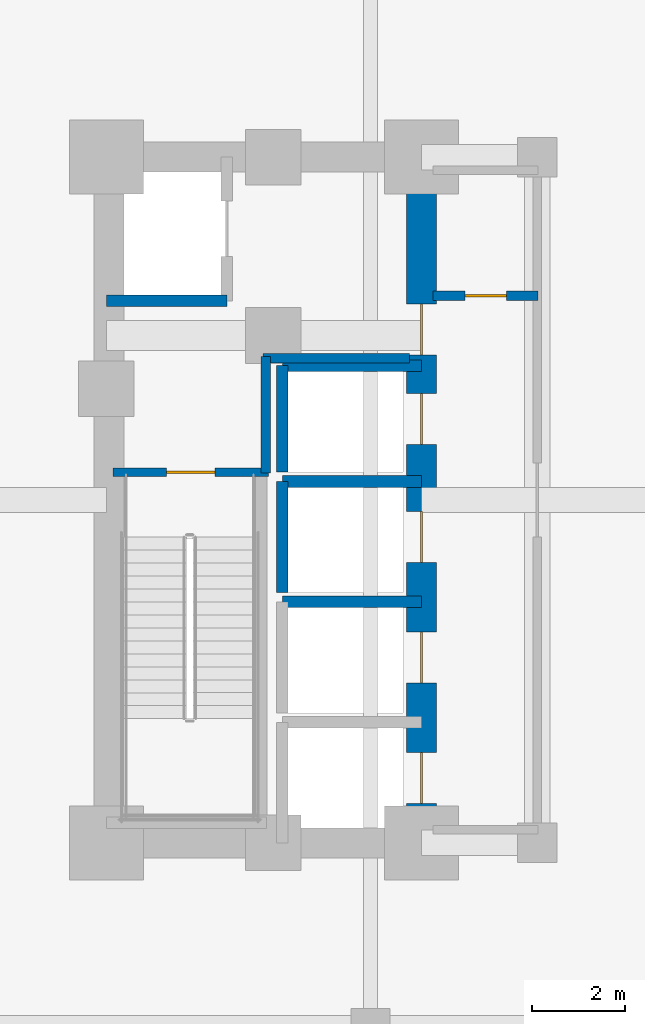
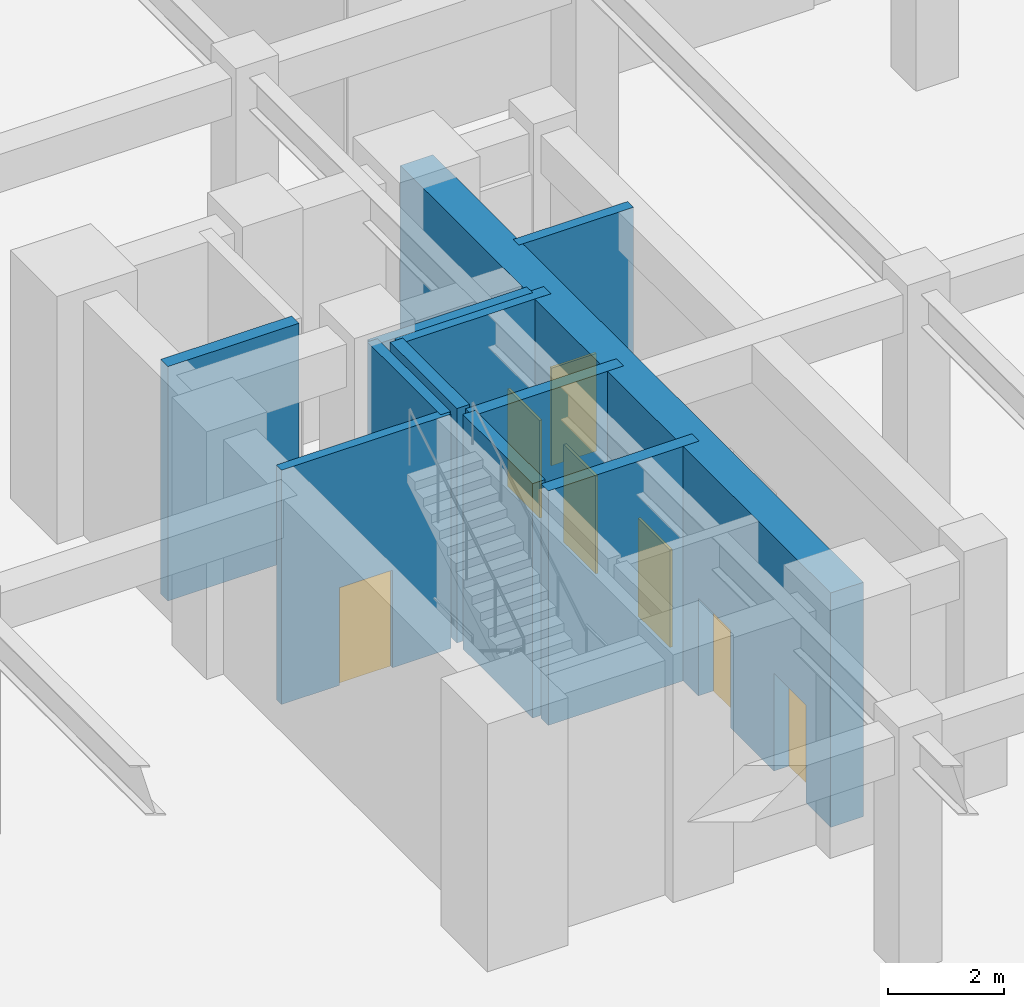
# One storey, part 3 of 7: 11 walls, 7 doors, 7 openings.
"""IFC4 building model written with IfcOpenShell, lengths in metres."""

from ifc_helpers import new_model, si_unit, direction, frame, frame_2d, origin, place, context, subcontext, project, spatial, rectangle, extrude, material, layer, layer_set, type_object, element, fill, save


model = new_model("IFC4")

# Units and contexts
model_context = context("Model", 3, precision=1e-05, world=origin(), true_north=direction((0.0, 1.0)))
body_context = subcontext(model_context, "Body", "Model", "MODEL_VIEW")
ifc_project = project(units=[si_unit("LENGTHUNIT", "METRE"), si_unit("AREAUNIT", "SQUARE_METRE"), si_unit("VOLUMEUNIT", "CUBIC_METRE"), si_unit("PLANEANGLEUNIT", "RADIAN"), si_unit("MASSUNIT", "GRAM", prefix="KILO")], contexts=[model_context])

# Site, building, storey
site_placement = place(None, origin())
site = spatial("IfcSite", under=ifc_project, at=site_placement, CompositionType="ELEMENT")
building_placement = place(site_placement, origin())
building = spatial("IfcBuilding", under=site, at=building_placement, Name="Voryun Gate Residences", CompositionType="ELEMENT")
storey_placement = place(building_placement, frame((0.0, 0.0, -5.199951171875)))
storey = spatial("IfcBuildingStorey", under=building, at=storey_placement, Name="B01", CompositionType="ELEMENT", Elevation=-5.199951171875)

# Wall, openings, doors
ifc_material_1 = material(Name="Concrete C60/75", Category="concrete")
ifc_layer_1 = layer(ifc_material_1, 0.64990234375, Name="CW_CORE_650")
ifc_layer_set_1 = layer_set([ifc_layer_1], Name="Concrete C60/75")
wall_type_1 = type_object("IfcWallType", Name="CW_CORE_650", PredefinedType="SHEAR", material=ifc_layer_set_1)
wall_1_placement = place(storey_placement, frame((-12.39990234375, -7.39990234375, 0.0), z_axis=(0.0, 0.0, 1.0), x_axis=(0.0, 1.0, 0.0)))
wall_1 = element("IfcWall", 1, at=wall_1_placement, inside=storey, type_object=wall_type_1, Name="B01 Core shear wall CW-B01-WE", PredefinedType="SHEAR", context=body_context, shape_type="SweptSolid", body=[
    extrude(rectangle(XDim=14.7998046875, YDim=0.64990234375, at=frame_2d((7.39990234375, 0.0))), origin(), (0.0, 0.0, 1.0), 4.919921875),
])
opening_1_placement = place(wall_1_placement, frame((0.85009765625, 0.0, 0.0)))
opening_1 = element("IfcOpeningElement", 2, at=opening_1_placement, cuts=wall_1, Name="Opening LD2", PredefinedType="OPENING", context=body_context, shape_type="SweptSolid", body=[
    extrude(rectangle(XDim=1.10009765625, YDim=2.050048828125, at=frame_2d((0.550048828125, 1.02490234375))), frame((0.0, 0.3349609375, 0.0), z_axis=(0.0, -1.0, 0.0), x_axis=(1.0, 0.0, 0.0)), (0.0, 0.0, 1.0), 0.669921875),
])
opening_2_placement = place(wall_1_placement, frame((3.449951171875, 0.0, 0.0)))
opening_2 = element("IfcOpeningElement", 3, at=opening_2_placement, cuts=wall_1, Name="Opening LD2", PredefinedType="OPENING", context=body_context, shape_type="SweptSolid", body=[
    extrude(rectangle(XDim=1.10009765625, YDim=2.050048828125, at=frame_2d((0.550048828125, 1.02490234375))), frame((0.0, 0.3349609375, 0.0), z_axis=(0.0, -1.0, 0.0), x_axis=(1.0, 0.0, 0.0)), (0.0, 0.0, 1.0), 0.669921875),
])
opening_3_placement = place(wall_1_placement, frame((6.050048828125, 0.0, 0.0)))
opening_3 = element("IfcOpeningElement", 4, at=opening_3_placement, cuts=wall_1, Name="Opening LD2", PredefinedType="OPENING", context=body_context, shape_type="SweptSolid", body=[
    extrude(rectangle(XDim=1.10009765625, YDim=2.050048828125, at=frame_2d((0.550048828125, 1.02490234375))), frame((0.0, 0.3349609375, 0.0), z_axis=(0.0, -1.0, 0.0), x_axis=(1.0, 0.0, 0.0)), (0.0, 0.0, 1.0), 0.669921875),
])
opening_4_placement = place(wall_1_placement, frame((8.60009765625, 0.0, 0.0)))
opening_4 = element("IfcOpeningElement", 5, at=opening_4_placement, cuts=wall_1, Name="Opening LD2", PredefinedType="OPENING", context=body_context, shape_type="SweptSolid", body=[
    extrude(rectangle(XDim=1.10009765625, YDim=2.050048828125, at=frame_2d((0.550048828125, 1.02490234375))), frame((0.0, 0.3349609375, 0.0), z_axis=(0.0, -1.0, 0.0), x_axis=(1.0, 0.0, 0.0)), (0.0, 0.0, 1.0), 0.669921875),
])
opening_5_placement = place(wall_1_placement, frame((10.530029296875, 0.0, 0.0)))
opening_5 = element("IfcOpeningElement", 6, at=opening_5_placement, cuts=wall_1, Name="Opening D-FD60-2", PredefinedType="OPENING", context=body_context, shape_type="SweptSolid", body=[
    extrude(rectangle(XDim=1.10009765625, YDim=2.050048828125, at=frame_2d((0.550048828125, 1.02490234375))), frame((0.0, 0.3349609375, 0.0), z_axis=(0.0, -1.0, 0.0), x_axis=(1.0, 0.0, 0.0)), (0.0, 0.0, 1.0), 0.669921875),
])
ifc_material_2 = material(Name="Painted steel fire door", Category="steel")
door_type_1 = type_object("IfcDoorType", Name="DR_FD60_FFLOB_1100", OperationType="NOTDEFINED", PredefinedType="DOOR", material=ifc_material_2)
door_1_placement = place(opening_5_placement, origin())
door_1 = element("IfcDoor", 7, at=door_1_placement, inside=storey, type_object=door_type_1, Name="Door DR-B01-CLOB-W", OperationType="SINGLE_SWING_LEFT", OverallHeight=2.050048828125, OverallWidth=1.10009765625, PredefinedType="DOOR", context=body_context, shape_type="SweptSolid", body=[
    extrude(rectangle(XDim=1.10009765625, YDim=2.050048828125, at=frame_2d((0.550048828125, 1.02490234375))), frame((0.0, 0.02490234375, 0.0), z_axis=(0.0, -1.0, 0.0), x_axis=(1.0, 0.0, 0.0)), (0.0, 0.0, 1.0), 0.050048828125),
])
fill(opening_5, door_1)
ifc_material_3 = material(Name="Anodised aluminium", Category="aluminium")
door_type_2 = type_object("IfcDoorType", Name="DR_LD_PASS_1100", OperationType="NOTDEFINED", PredefinedType="DOOR", material=ifc_material_3)
door_2_placement = place(opening_1_placement, origin())
door_2 = element("IfcDoor", 8, at=door_2_placement, inside=storey, type_object=door_type_2, Name="Lift EL-P1 sliding landing door B01", OperationType="SLIDING_TO_LEFT", OverallHeight=2.050048828125, OverallWidth=1.10009765625, PredefinedType="DOOR", context=body_context, shape_type="SweptSolid", body=[
    extrude(rectangle(XDim=1.10009765625, YDim=2.050048828125, at=frame_2d((0.550048828125, 1.02490234375))), frame((0.0, 0.02490234375, 0.0), z_axis=(0.0, -1.0, 0.0), x_axis=(1.0, 0.0, 0.0)), (0.0, 0.0, 1.0), 0.050048828125),
])
fill(opening_1, door_2)
door_3_placement = place(opening_2_placement, origin())
door_3 = element("IfcDoor", 9, at=door_3_placement, inside=storey, type_object=door_type_2, Name="Lift EL-P2 sliding landing door B01", OperationType="SLIDING_TO_LEFT", OverallHeight=2.050048828125, OverallWidth=1.10009765625, PredefinedType="DOOR", context=body_context, shape_type="SweptSolid", body=[
    extrude(rectangle(XDim=1.10009765625, YDim=2.050048828125, at=frame_2d((0.550048828125, 1.02490234375))), frame((0.0, 0.02490234375, 0.0), z_axis=(0.0, -1.0, 0.0), x_axis=(1.0, 0.0, 0.0)), (0.0, 0.0, 1.0), 0.050048828125),
])
fill(opening_2, door_3)
door_4_placement = place(opening_3_placement, origin())
door_4 = element("IfcDoor", 10, at=door_4_placement, inside=storey, type_object=door_type_2, Name="Lift EL-P4 sliding landing door B01", OperationType="SLIDING_TO_LEFT", OverallHeight=2.050048828125, OverallWidth=1.10009765625, PredefinedType="DOOR", context=body_context, shape_type="SweptSolid", body=[
    extrude(rectangle(XDim=1.10009765625, YDim=2.050048828125, at=frame_2d((0.550048828125, 1.02490234375))), frame((0.0, 0.02490234375, 0.0), z_axis=(0.0, -1.0, 0.0), x_axis=(1.0, 0.0, 0.0)), (0.0, 0.0, 1.0), 0.050048828125),
])
fill(opening_3, door_4)
door_5_placement = place(opening_4_placement, origin())
door_5 = element("IfcDoor", 11, at=door_5_placement, inside=storey, type_object=door_type_2, Name="Lift EL-P7 sliding landing door B01", OperationType="SLIDING_TO_LEFT", OverallHeight=2.050048828125, OverallWidth=1.10009765625, PredefinedType="DOOR", context=body_context, shape_type="SweptSolid", body=[
    extrude(rectangle(XDim=1.10009765625, YDim=2.050048828125, at=frame_2d((0.550048828125, 1.02490234375))), frame((0.0, 0.02490234375, 0.0), z_axis=(0.0, -1.0, 0.0), x_axis=(1.0, 0.0, 0.0)), (0.0, 0.0, 1.0), 0.050048828125),
])
fill(opening_4, door_5)

# Wall, opening, door
ifc_material_4 = material(Name="Gypsum acoustic fireboard")
ifc_layer_2 = layer(ifc_material_4, 0.179931640625, Name="W_CORR_RATED_180")
ifc_layer_set_2 = layer_set([ifc_layer_2], Name="Gypsum acoustic fireboard")
wall_type_2 = type_object("IfcWallType", Name="W_CORR_RATED_180", PredefinedType="PARTITIONING", material=ifc_layer_set_2)
wall_2_placement = place(storey_placement, frame((-19.06005859375, 0.60009765625, 0.0), z_axis=(0.0, 0.0, 1.0), x_axis=(1.0, 0.0, 0.0)))
wall_2 = element("IfcWall", 12, at=wall_2_placement, inside=storey, type_object=wall_type_2, Name="Partition wall WP-B01-STV-W", PredefinedType="PARTITIONING", context=body_context, shape_type="SweptSolid", body=[
    extrude(rectangle(XDim=3.360107421875, YDim=0.179931640625, at=frame_2d((1.68017578125, 0.0))), origin(), (0.0, 0.0, 1.0), 4.919921875),
])
opening_6_placement = place(wall_2_placement, frame((1.155029296875, 0.0, 0.0)))
opening_6 = element("IfcOpeningElement", 13, at=opening_6_placement, cuts=wall_2, Name="Opening D-FD60-1", PredefinedType="OPENING", context=body_context, shape_type="SweptSolid", body=[
    extrude(rectangle(XDim=1.050048828125, YDim=2.050048828125, at=frame_2d((0.52490234375, 1.02490234375))), frame((0.0, 0.099853515625, 0.0), z_axis=(0.0, -1.0, 0.0), x_axis=(1.0, 0.0, 0.0)), (0.0, 0.0, 1.0), 0.199951171875),
])
ifc_material_5 = material(Name="Painted steel fire door", Category="steel")
door_type_3 = type_object("IfcDoorType", Name="DR_FD60_STAIR_1050", OperationType="NOTDEFINED", PredefinedType="DOOR", material=ifc_material_5)
door_6_placement = place(opening_6_placement, origin())
door_6 = element("IfcDoor", 14, at=door_6_placement, inside=storey, type_object=door_type_3, Name="Door DR-B01-ST-W", OperationType="SINGLE_SWING_LEFT", OverallHeight=2.050048828125, OverallWidth=1.050048828125, PredefinedType="DOOR", context=body_context, shape_type="SweptSolid", body=[
    extrude(rectangle(XDim=1.050048828125, YDim=2.050048828125, at=frame_2d((0.52490234375, 1.02490234375))), frame((0.0, 0.02490234375, 0.0), z_axis=(0.0, -1.0, 0.0), x_axis=(1.0, 0.0, 0.0)), (0.0, 0.0, 1.0), 0.050048828125),
])
fill(opening_6, door_6)

# Walls
ifc_material_6 = material(Name="Concrete C40/50", Category="concrete")
ifc_layer_3 = layer(ifc_material_6, 0.199951171875, Name="W_FF_LOBBY_200")
ifc_layer_set_3 = layer_set([ifc_layer_3], Name="Concrete C40/50")
wall_type_3 = type_object("IfcWallType", Name="W_FF_LOBBY_200", PredefinedType="PARTITIONING", material=ifc_layer_set_3)
wall_3_placement = place(storey_placement, frame((-15.760009765625, 0.580078125, 0.0), z_axis=(0.0, 0.0, 1.0), x_axis=(0.0, 1.0, 0.0)))
element("IfcWall", 15, at=wall_3_placement, inside=storey, type_object=wall_type_3, Name="Partition wall WP-B01-FFP0-W", PredefinedType="PARTITIONING", context=body_context, shape_type="SweptSolid", body=[
    extrude(rectangle(XDim=2.52001953125, YDim=0.199951171875, at=frame_2d((1.260009765625, 0.0))), origin(), (0.0, 0.0, 1.0), 4.919921875),
])
wall_4_placement = place(storey_placement, frame((-15.820068359375, 3.06005859375, 0.0), z_axis=(0.0, 0.0, 1.0), x_axis=(1.0, 0.0, 0.0)))
element("IfcWall", 16, at=wall_4_placement, inside=storey, type_object=wall_type_3, Name="Partition wall WP-B01-FFPS-W", PredefinedType="PARTITIONING", context=body_context, shape_type="SweptSolid", body=[
    extrude(rectangle(XDim=3.16015625, YDim=0.199951171875, at=frame_2d((1.580078125, 0.0))), origin(), (0.0, 0.0, 1.0), 4.919921875),
])

# Wall, opening, door
wall_5_placement = place(storey_placement, frame((-12.14990234375, 4.409912109375, 0.0), z_axis=(0.0, 0.0, 1.0), x_axis=(1.0, 0.0, 0.0)))
wall_5 = element("IfcWall", 17, at=wall_5_placement, inside=storey, type_object=wall_type_3, Name="Partition wall WP-B01-CSFLKS-W", PredefinedType="PARTITIONING", context=body_context, shape_type="SweptSolid", body=[
    extrude(rectangle(XDim=2.27001953125, YDim=0.199951171875, at=frame_2d((1.135009765625, 0.0))), origin(), (0.0, 0.0, 1.0), 4.919921875),
])
opening_7_placement = place(wall_5_placement, frame((0.68505859375, 0.0, 0.0)))
opening_7 = element("IfcOpeningElement", 18, at=opening_7_placement, cuts=wall_5, Name="Opening D-FD60-4", PredefinedType="OPENING", context=body_context, shape_type="SweptSolid", body=[
    extrude(rectangle(XDim=0.89990234375, YDim=2.050048828125, at=frame_2d((0.449951171875, 1.02490234375))), frame((0.0, 0.110107421875, 0.0), z_axis=(0.0, -1.0, 0.0), x_axis=(1.0, 0.0, 0.0)), (0.0, 0.0, 1.0), 0.219970703125),
])
ifc_material_7 = material(Name="Painted steel fire door", Category="steel")
door_type_4 = type_object("IfcDoorType", Name="DR_FD60_RISER_900", OperationType="NOTDEFINED", PredefinedType="DOOR", material=ifc_material_7)
door_7_placement = place(opening_7_placement, origin())
door_7 = element("IfcDoor", 19, at=door_7_placement, inside=storey, type_object=door_type_4, Name="Door DR-B01-CSFLK-W", OperationType="SINGLE_SWING_LEFT", OverallHeight=2.050048828125, OverallWidth=0.89990234375, PredefinedType="DOOR", context=body_context, shape_type="SweptSolid", body=[
    extrude(rectangle(XDim=0.89990234375, YDim=2.050048828125, at=frame_2d((0.449951171875, 1.02490234375))), frame((0.0, 0.02490234375, 0.0), z_axis=(0.0, -1.0, 0.0), x_axis=(1.0, 0.0, 0.0)), (0.0, 0.0, 1.0), 0.050048828125),
])
fill(opening_7, door_7)

# Walls
ifc_material_8 = material(Name="Concrete C50/60", Category="concrete")
ifc_layer_4 = layer(ifc_material_8, 0.25, Name="W_SHAFT_RC250")
ifc_layer_set_4 = layer_set([ifc_layer_4], Name="Concrete C50/60")
wall_type_4 = type_object("IfcWallType", Name="W_SHAFT_RC250", PredefinedType="SOLIDWALL", material=ifc_layer_set_4)
wall_6_placement = place(storey_placement, frame((-19.199951171875, 4.300048828125, 0.0), z_axis=(0.0, 0.0, 1.0), x_axis=(1.0, 0.0, 0.0)))
element("IfcWall", 20, at=wall_6_placement, inside=storey, type_object=wall_type_4, Name="Lift shaft wall WSH-B01-EL-FF-W1-S", PredefinedType="SOLIDWALL", context=body_context, shape_type="SweptSolid", body=[
    extrude(rectangle(XDim=2.599853515625, YDim=0.25, at=frame_2d((1.2998046875, 0.0))), origin(), (0.0, 0.0, 1.0), 4.919921875),
])
for number, where, z_axis, x_axis, name in (
    (21, (-12.39990234375, -2.199951171875, 0.0), (0.0, 0.0, 1.0), (-1.0, 0.0, 0.0), "Lift shaft wall WSH-B01-EL-P2-N"),
    (22, (-12.39990234375, 0.39990234375, 0.0), (0.0, 0.0, 1.0), (-1.0, 0.0, 0.0), "Lift shaft wall WSH-B01-EL-P4-N"),
):
    element("IfcWall", number, at=place(storey_placement, frame(where, z_axis=z_axis, x_axis=x_axis)), inside=storey, type_object=wall_type_4, Name=name, PredefinedType="SOLIDWALL", context=body_context, shape_type="SweptSolid", body=[
        extrude(rectangle(XDim=3.0, YDim=0.25, at=frame_2d((1.5, 0.0))), origin(), (0.0, 0.0, 1.0), 4.919921875),
    ])
wall_7_placement = place(storey_placement, frame((-15.39990234375, 0.39990234375, 0.0), z_axis=(0.0, 0.0, 1.0), x_axis=(0.0, -1.0, 0.0)))
element("IfcWall", 23, at=wall_7_placement, inside=storey, type_object=wall_type_4, Name="Lift shaft wall WSH-B01-EL-P4-W", PredefinedType="SOLIDWALL", context=body_context, shape_type="SweptSolid", body=[
    extrude(rectangle(XDim=2.39990234375, YDim=0.25, at=frame_2d((1.199951171875, 0.0))), origin(), (0.0, 0.0, 1.0), 4.919921875),
])
wall_8_placement = place(storey_placement, frame((-12.39990234375, 2.89990234375, 0.0), z_axis=(0.0, 0.0, 1.0), x_axis=(-1.0, 0.0, 0.0)))
element("IfcWall", 24, at=wall_8_placement, inside=storey, type_object=wall_type_4, Name="Lift shaft wall WSH-B01-EL-P7-N", PredefinedType="SOLIDWALL", context=body_context, shape_type="SweptSolid", body=[
    extrude(rectangle(XDim=3.0, YDim=0.25, at=frame_2d((1.5, 0.0))), origin(), (0.0, 0.0, 1.0), 4.919921875),
])
wall_9_placement = place(storey_placement, frame((-15.39990234375, 2.89990234375, 0.0), z_axis=(0.0, 0.0, 1.0), x_axis=(0.0, -1.0, 0.0)))
element("IfcWall", 25, at=wall_9_placement, inside=storey, type_object=wall_type_4, Name="Lift shaft wall WSH-B01-EL-P7-W", PredefinedType="SOLIDWALL", context=body_context, shape_type="SweptSolid", body=[
    extrude(rectangle(XDim=2.2998046875, YDim=0.25, at=frame_2d((1.14990234375, 0.0))), origin(), (0.0, 0.0, 1.0), 4.919921875),
])

save(model, "model.ifc")
